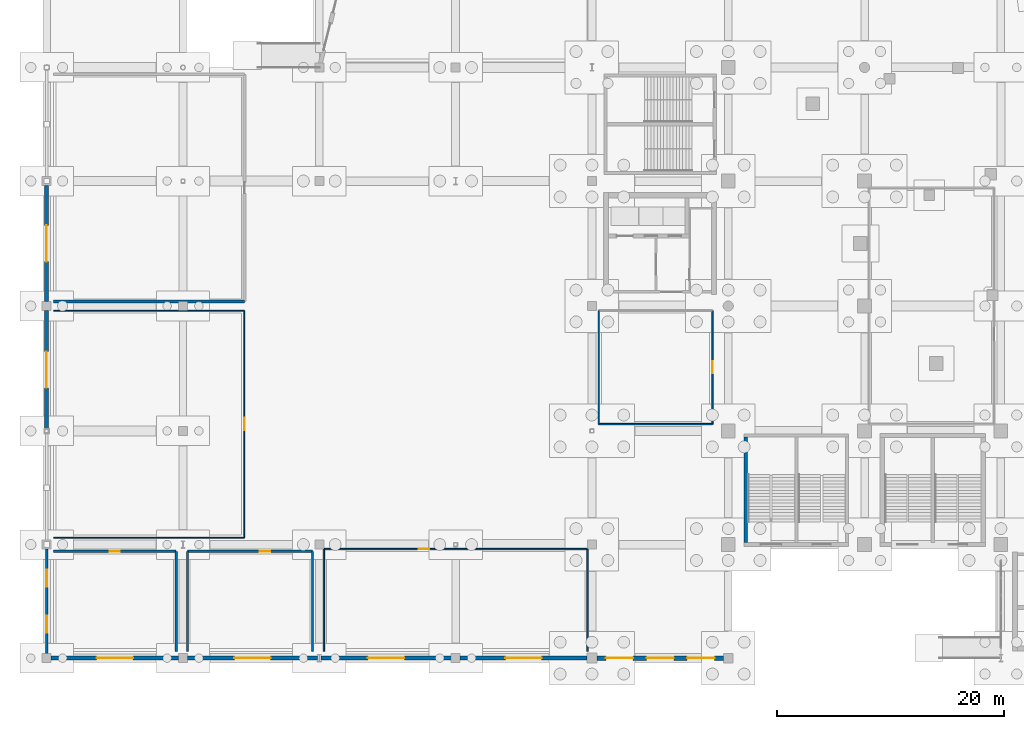
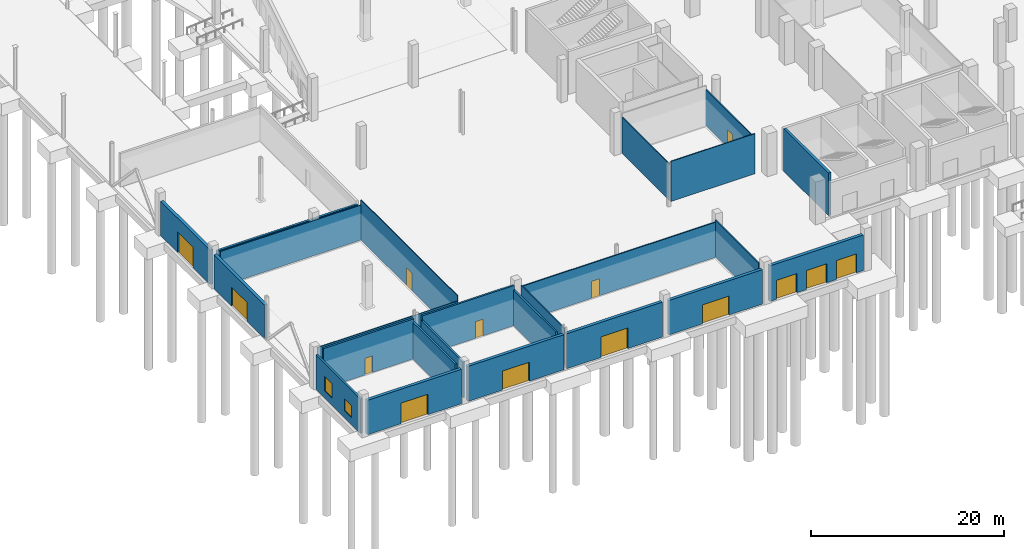
# One storey, part 48 of 70: 24 walls, 14 doors, 2 windows, 16 openings.
"""IFC4 building model written with IfcOpenShell, lengths in metres."""

from ifc_helpers import new_model, si_unit, direction, frame, frame_2d, origin, place, context, subcontext, project, spatial, rectangle, extrude, material, layer, layer_set, type_object, element, fill, save


model = new_model("IFC4")

# Units and contexts
model_context = context("Model", 3, precision=1e-05, world=origin(), true_north=direction((0.0, 1.0)))
body_context = subcontext(model_context, "Body", "Model", "MODEL_VIEW")
ifc_project = project(units=[si_unit("LENGTHUNIT", "METRE"), si_unit("AREAUNIT", "SQUARE_METRE"), si_unit("VOLUMEUNIT", "CUBIC_METRE"), si_unit("PLANEANGLEUNIT", "RADIAN"), si_unit("MASSUNIT", "GRAM", prefix="KILO")], contexts=[model_context])

# Site, building, storey
site_placement = place(None, origin())
site = spatial("IfcSite", under=ifc_project, at=site_placement, CompositionType="ELEMENT")
building_placement = place(site_placement, origin())
building = spatial("IfcBuilding", under=site, at=building_placement, Name="Brinegate Civic Arena", CompositionType="ELEMENT")
storey_placement = place(building_placement, origin())
storey = spatial("IfcBuildingStorey", under=building, at=storey_placement, Name="L00", CompositionType="ELEMENT", Elevation=0.0)

# Wall, openings, windows
ifc_material_1 = material(Name="Concrete C40/50", Category="concrete")
ifc_layer_1 = layer(ifc_material_1, 0.239990234375, Name="Concrete C40/50")
ifc_layer_set_1 = layer_set([ifc_layer_1], Name="Concrete C40/50")
wall_type_1 = type_object("IfcWallType", Name="WALL-EXT-CONC-240", PredefinedType="SOLIDWALL", material=ifc_layer_set_1)
wall_1_placement = place(storey_placement, frame((0.0, 0.385009765625, 0.0), z_axis=(0.0, 0.0, 1.0), x_axis=(0.0, 1.0, 0.0)))
wall_1 = element("IfcWall", 1, at=wall_1_placement, inside=storey, type_object=wall_type_1, Name="Perimeter Window Wall L00-01 (WBA-02)", PredefinedType="SOLIDWALL", context=body_context, shape_type="SweptSolid", body=[
    extrude(rectangle(XDim=9.22998046875, YDim=0.239990234375, at=frame_2d((4.614990234375, 0.0))), origin(), (0.0, 0.0, 1.0), 4.346923828125),
])
opening_1_placement = place(wall_1_placement, frame((1.833984375, 0.0, 0.89990234375)))
opening_1 = element("IfcOpeningElement", 2, at=opening_1_placement, cuts=wall_1, Name="Opening WN-0001", PredefinedType="OPENING", context=body_context, shape_type="SweptSolid", body=[
    extrude(rectangle(XDim=1.5, YDim=1.5, at=frame_2d((0.75, 0.75))), frame((0.0, 0.1298828125, 0.0), z_axis=(0.0, -1.0, 0.0), x_axis=(1.0, 0.0, 0.0)), (0.0, 0.0, 1.0), 0.260009765625),
])
opening_2_placement = place(wall_1_placement, frame((5.89599609375, 0.0, 0.89990234375)))
opening_2 = element("IfcOpeningElement", 3, at=opening_2_placement, cuts=wall_1, Name="Opening WN-0002", PredefinedType="OPENING", context=body_context, shape_type="SweptSolid", body=[
    extrude(rectangle(XDim=1.5, YDim=1.800048828125, at=frame_2d((0.75, 0.89990234375))), frame((0.0, 0.1298828125, 0.0), z_axis=(0.0, -1.0, 0.0), x_axis=(1.0, 0.0, 0.0)), (0.0, 0.0, 1.0), 0.260009765625),
])
ifc_material_2 = material(Name="Hurricane laminated low-E glass", Category="glass")
window_type_1 = type_object("IfcWindowType", Name="WIN-CASEMENT-1500X1500", PartitioningType="SINGLE_PANEL", PredefinedType="WINDOW", material=ifc_material_2)
window_1_placement = place(opening_1_placement, origin())
window_1 = element("IfcWindow", 4, at=window_1_placement, inside=storey, type_object=window_type_1, Name="Window WN-0001", OverallHeight=1.5, OverallWidth=1.5, PartitioningType="SINGLE_PANEL", PredefinedType="WINDOW", context=body_context, shape_type="SweptSolid", body=[
    extrude(rectangle(XDim=1.5, YDim=1.5, at=frame_2d((0.75, 0.75))), frame((0.0, 0.030029296875, 0.0), z_axis=(0.0, -1.0, 0.0), x_axis=(1.0, 0.0, 0.0)), (0.0, 0.0, 1.0), 0.06005859375),
])
fill(opening_1, window_1)
window_type_2 = type_object("IfcWindowType", Name="WIN-CASEMENT-1500X1800", PartitioningType="SINGLE_PANEL", PredefinedType="WINDOW", material=ifc_material_2)
window_2_placement = place(opening_2_placement, origin())
window_2 = element("IfcWindow", 5, at=window_2_placement, inside=storey, type_object=window_type_2, Name="Window WN-0002", OverallHeight=1.800048828125, OverallWidth=1.5, PartitioningType="SINGLE_PANEL", PredefinedType="WINDOW", context=body_context, shape_type="SweptSolid", body=[
    extrude(rectangle(XDim=1.5, YDim=1.800048828125, at=frame_2d((0.75, 0.89990234375))), frame((0.0, 0.030029296875, 0.0), z_axis=(0.0, -1.0, 0.0), x_axis=(1.0, 0.0, 0.0)), (0.0, 0.0, 1.0), 0.06005859375),
])
fill(opening_2, window_2)

# Wall, openings, doors
ifc_layer_2 = layer(ifc_material_1, 0.3798828125, Name="Concrete C40/50")
ifc_layer_set_2 = layer_set([ifc_layer_2], Name="Concrete C40/50")
wall_type_2 = type_object("IfcWallType", Name="WALL-EXT-LB-380", PredefinedType="SOLIDWALL", material=ifc_layer_set_2)
wall_2_placement = place(storey_placement, frame((48.43505859375, 0.0, 0.0), z_axis=(0.0, 0.0, 1.0), x_axis=(1.0, 0.0, 0.0)))
wall_2 = element("IfcWall", 6, at=wall_2_placement, inside=storey, type_object=wall_type_2, Name="South Plinth Structural Wall L00 (WBA-01)", PredefinedType="SOLIDWALL", context=body_context, shape_type="SweptSolid", body=[
    extrude(rectangle(XDim=11.155029296875, YDim=0.3798828125, at=frame_2d((5.57763671875, 0.0))), origin(), (0.0, 0.0, 1.0), 4.5),
])
opening_3_placement = place(wall_2_placement, frame((0.800048828125, 0.0, 0.0)))
opening_3 = element("IfcOpeningElement", 7, at=opening_3_placement, cuts=wall_2, Name="Opening E-27", PredefinedType="OPENING", context=body_context, shape_type="SweptSolid", body=[
    extrude(rectangle(XDim=2.39990234375, YDim=2.39990234375, at=frame_2d((1.199951171875, 1.199951171875))), frame((0.0, 0.199951171875, 0.0), z_axis=(0.0, -1.0, 0.0), x_axis=(1.0, 0.0, 0.0)), (0.0, 0.0, 1.0), 0.39990234375),
])
opening_4_placement = place(wall_2_placement, frame((4.3779296875, 0.0, 0.0)))
opening_4 = element("IfcOpeningElement", 8, at=opening_4_placement, cuts=wall_2, Name="Opening E-28", PredefinedType="OPENING", context=body_context, shape_type="SweptSolid", body=[
    extrude(rectangle(XDim=2.39990234375, YDim=2.39990234375, at=frame_2d((1.199951171875, 1.199951171875))), frame((0.0, 0.199951171875, 0.0), z_axis=(0.0, -1.0, 0.0), x_axis=(1.0, 0.0, 0.0)), (0.0, 0.0, 1.0), 0.39990234375),
])
opening_5_placement = place(wall_2_placement, frame((7.955078125, 0.0, 0.0)))
opening_5 = element("IfcOpeningElement", 9, at=opening_5_placement, cuts=wall_2, Name="Opening E-29", PredefinedType="OPENING", context=body_context, shape_type="SweptSolid", body=[
    extrude(rectangle(XDim=2.39990234375, YDim=2.39990234375, at=frame_2d((1.199951171875, 1.199951171875))), frame((0.0, 0.199951171875, 0.0), z_axis=(0.0, -1.0, 0.0), x_axis=(1.0, 0.0, 0.0)), (0.0, 0.0, 1.0), 0.39990234375),
])
ifc_material_3 = material(Name="Marine grade aluminium", Category="aluminium")
door_type_1 = type_object("IfcDoorType", Name="DOOR-FINAL-EXIT-2400X2400", OperationType="NOTDEFINED", PredefinedType="DOOR", material=ifc_material_3)
door_1_placement = place(opening_3_placement, frame((2.39990234375, 0.0, 0.0), z_axis=(0.0, 0.0, 1.0), x_axis=(-1.0, 0.0, 0.0)))
door_1 = element("IfcDoor", 10, at=door_1_placement, inside=storey, type_object=door_type_1, Name="Main Pedestrian Final Exit Door E-27", OperationType="DOUBLE_DOOR_SINGLE_SWING", OverallHeight=2.39990234375, OverallWidth=2.39990234375, PredefinedType="DOOR", context=body_context, shape_type="SweptSolid", body=[
    extrude(rectangle(XDim=2.39990234375, YDim=2.39990234375, at=frame_2d((1.199951171875, 1.199951171875))), frame((0.0, 0.02490234375, 0.0), z_axis=(0.0, -1.0, 0.0), x_axis=(1.0, 0.0, 0.0)), (0.0, 0.0, 1.0), 0.050048828125),
])
fill(opening_3, door_1)
door_2_placement = place(opening_4_placement, frame((2.39990234375, 0.0, 0.0), z_axis=(0.0, 0.0, 1.0), x_axis=(-1.0, 0.0, 0.0)))
door_2 = element("IfcDoor", 11, at=door_2_placement, inside=storey, type_object=door_type_1, Name="Main Pedestrian Final Exit Door E-28", OperationType="DOUBLE_DOOR_SINGLE_SWING", OverallHeight=2.39990234375, OverallWidth=2.39990234375, PredefinedType="DOOR", context=body_context, shape_type="SweptSolid", body=[
    extrude(rectangle(XDim=2.39990234375, YDim=2.39990234375, at=frame_2d((1.199951171875, 1.199951171875))), frame((0.0, 0.02490234375, 0.0), z_axis=(0.0, -1.0, 0.0), x_axis=(1.0, 0.0, 0.0)), (0.0, 0.0, 1.0), 0.050048828125),
])
fill(opening_4, door_2)
door_3_placement = place(opening_5_placement, frame((2.39990234375, 0.0, 0.0), z_axis=(0.0, 0.0, 1.0), x_axis=(-1.0, 0.0, 0.0)))
door_3 = element("IfcDoor", 12, at=door_3_placement, inside=storey, type_object=door_type_1, Name="Main Pedestrian Final Exit Door E-29", OperationType="DOUBLE_DOOR_SINGLE_SWING", OverallHeight=2.39990234375, OverallWidth=2.39990234375, PredefinedType="DOOR", context=body_context, shape_type="SweptSolid", body=[
    extrude(rectangle(XDim=2.39990234375, YDim=2.39990234375, at=frame_2d((1.199951171875, 1.199951171875))), frame((0.0, 0.02490234375, 0.0), z_axis=(0.0, -1.0, 0.0), x_axis=(1.0, 0.0, 0.0)), (0.0, 0.0, 1.0), 0.050048828125),
])
fill(opening_5, door_3)

# Wall, opening, door
ifc_material_4 = material(Name="Precast concrete C45/55", Category="concrete")
ifc_layer_3 = layer(ifc_material_4, 0.360107421875, Name="Precast concrete C45/55")
ifc_layer_set_3 = layer_set([ifc_layer_3], Name="Precast concrete C45/55")
wall_type_3 = type_object("IfcWallType", Name="WALL-EXT-PRECAST-360", PredefinedType="SOLIDWALL", material=ifc_layer_set_3)
wall_3_placement = place(storey_placement, frame((0.385009765625, 0.0, 0.0), z_axis=(0.0, 0.0, 1.0), x_axis=(1.0, 0.0, 0.0)))
wall_3 = element("IfcWall", 13, at=wall_3_placement, inside=storey, type_object=wall_type_3, Name="L00 Perimeter Wall SW-1 (WBA-21)", PredefinedType="SOLIDWALL", context=body_context, shape_type="SweptSolid", body=[
    extrude(rectangle(XDim=11.22998046875, YDim=0.360107421875, at=frame_2d((5.614990234375, 0.0))), origin(), (0.0, 0.0, 1.0), 4.346923828125),
])
opening_6_placement = place(wall_3_placement, frame((4.014892578125, 0.0, 0.0)))
opening_6 = element("IfcOpeningElement", 14, at=opening_6_placement, cuts=wall_3, Name="Opening E-02", PredefinedType="OPENING", context=body_context, shape_type="SweptSolid", body=[
    extrude(rectangle(XDim=3.199951171875, YDim=2.60009765625, at=frame_2d((1.60009765625, 1.300048828125))), frame((0.0, 0.18994140625, 0.0), z_axis=(0.0, -1.0, 0.0), x_axis=(1.0, 0.0, 0.0)), (0.0, 0.0, 1.0), 0.380126953125),
])
door_type_2 = type_object("IfcDoorType", Name="DOOR-FINAL-EXIT-3200X2600", OperationType="NOTDEFINED", PredefinedType="DOOR", material=ifc_material_3)
door_4_placement = place(opening_6_placement, frame((3.199951171875, 0.0, 0.0), z_axis=(0.0, 0.0, 1.0), x_axis=(-1.0, 0.0, 0.0)))
door_4 = element("IfcDoor", 15, at=door_4_placement, inside=storey, type_object=door_type_2, Name="Main Pedestrian Final Exit Door E-02", OperationType="DOUBLE_DOOR_SINGLE_SWING", OverallHeight=2.60009765625, OverallWidth=3.199951171875, PredefinedType="DOOR", context=body_context, shape_type="SweptSolid", body=[
    extrude(rectangle(XDim=3.199951171875, YDim=2.60009765625, at=frame_2d((1.60009765625, 1.300048828125))), frame((0.0, 0.02490234375, 0.0), z_axis=(0.0, -1.0, 0.0), x_axis=(1.0, 0.0, 0.0)), (0.0, 0.0, 1.0), 0.050048828125),
])
fill(opening_6, door_4)

wall_4_placement = place(storey_placement, frame((12.385009765625, 0.0, 0.0), z_axis=(0.0, 0.0, 1.0), x_axis=(1.0, 0.0, 0.0)))
wall_4 = element("IfcWall", 16, at=wall_4_placement, inside=storey, type_object=wall_type_3, Name="L00 Perimeter Wall SW-2 (WBA-22)", PredefinedType="SOLIDWALL", context=body_context, shape_type="SweptSolid", body=[
    extrude(rectangle(XDim=11.468017578125, YDim=0.360107421875, at=frame_2d((5.73388671875, 0.0))), origin(), (0.0, 0.0, 1.0), 4.428955078125),
])
opening_7_placement = place(wall_4_placement, frame((4.134033203125, 0.0, 0.0)))
opening_7 = element("IfcOpeningElement", 17, at=opening_7_placement, cuts=wall_4, Name="Opening E-03", PredefinedType="OPENING", context=body_context, shape_type="SweptSolid", body=[
    extrude(rectangle(XDim=3.199951171875, YDim=2.39990234375, at=frame_2d((1.60009765625, 1.199951171875))), frame((0.0, 0.18994140625, 0.0), z_axis=(0.0, -1.0, 0.0), x_axis=(1.0, 0.0, 0.0)), (0.0, 0.0, 1.0), 0.380126953125),
])
door_type_3 = type_object("IfcDoorType", Name="DOOR-FINAL-EXIT-3200X2400", OperationType="NOTDEFINED", PredefinedType="DOOR", material=ifc_material_3)
door_5_placement = place(opening_7_placement, frame((3.199951171875, 0.0, 0.0), z_axis=(0.0, 0.0, 1.0), x_axis=(-1.0, 0.0, 0.0)))
door_5 = element("IfcDoor", 18, at=door_5_placement, inside=storey, type_object=door_type_3, Name="Main Pedestrian Final Exit Door E-03", OperationType="DOUBLE_DOOR_SINGLE_SWING", OverallHeight=2.39990234375, OverallWidth=3.199951171875, PredefinedType="DOOR", context=body_context, shape_type="SweptSolid", body=[
    extrude(rectangle(XDim=3.199951171875, YDim=2.39990234375, at=frame_2d((1.60009765625, 1.199951171875))), frame((0.0, 0.02490234375, 0.0), z_axis=(0.0, -1.0, 0.0), x_axis=(1.0, 0.0, 0.0)), (0.0, 0.0, 1.0), 0.050048828125),
])
fill(opening_7, door_5)

wall_5_placement = place(storey_placement, frame((24.14697265625, 0.0, 0.0), z_axis=(0.0, 0.0, 1.0), x_axis=(1.0, 0.0, 0.0)))
wall_5 = element("IfcWall", 19, at=wall_5_placement, inside=storey, type_object=wall_type_3, Name="L00 Perimeter Wall SW-3 (WBA-23)", PredefinedType="SOLIDWALL", context=body_context, shape_type="SweptSolid", body=[
    extrude(rectangle(XDim=11.468017578125, YDim=0.360107421875, at=frame_2d((5.73388671875, 0.0))), origin(), (0.0, 0.0, 1.0), 4.428955078125),
])
opening_8_placement = place(wall_5_placement, frame((4.134033203125, 0.0, 0.0)))
opening_8 = element("IfcOpeningElement", 20, at=opening_8_placement, cuts=wall_5, Name="Opening E-04", PredefinedType="OPENING", context=body_context, shape_type="SweptSolid", body=[
    extrude(rectangle(XDim=3.199951171875, YDim=2.60009765625, at=frame_2d((1.60009765625, 1.300048828125))), frame((0.0, 0.18994140625, 0.0), z_axis=(0.0, -1.0, 0.0), x_axis=(1.0, 0.0, 0.0)), (0.0, 0.0, 1.0), 0.380126953125),
])
door_6_placement = place(opening_8_placement, frame((3.199951171875, 0.0, 0.0), z_axis=(0.0, 0.0, 1.0), x_axis=(-1.0, 0.0, 0.0)))
door_6 = element("IfcDoor", 21, at=door_6_placement, inside=storey, type_object=door_type_2, Name="Main Pedestrian Final Exit Door E-04", OperationType="DOUBLE_DOOR_SINGLE_SWING", OverallHeight=2.60009765625, OverallWidth=3.199951171875, PredefinedType="DOOR", context=body_context, shape_type="SweptSolid", body=[
    extrude(rectangle(XDim=3.199951171875, YDim=2.60009765625, at=frame_2d((1.60009765625, 1.300048828125))), frame((0.0, 0.02490234375, 0.0), z_axis=(0.0, -1.0, 0.0), x_axis=(1.0, 0.0, 0.0)), (0.0, 0.0, 1.0), 0.050048828125),
])
fill(opening_8, door_6)

wall_6_placement = place(storey_placement, frame((36.385009765625, 0.0, 0.0), z_axis=(0.0, 0.0, 1.0), x_axis=(1.0, 0.0, 0.0)))
wall_6 = element("IfcWall", 22, at=wall_6_placement, inside=storey, type_object=wall_type_3, Name="L00 Perimeter Wall SW-4 (WBA-24)", PredefinedType="SOLIDWALL", context=body_context, shape_type="SweptSolid", body=[
    extrude(rectangle(XDim=11.179931640625, YDim=0.360107421875, at=frame_2d((5.58984375, 0.0))), origin(), (0.0, 0.0, 1.0), 4.346923828125),
])
opening_9_placement = place(wall_6_placement, frame((3.989990234375, 0.0, 0.0)))
opening_9 = element("IfcOpeningElement", 23, at=opening_9_placement, cuts=wall_6, Name="Opening E-05", PredefinedType="OPENING", context=body_context, shape_type="SweptSolid", body=[
    extrude(rectangle(XDim=3.199951171875, YDim=2.39990234375, at=frame_2d((1.60009765625, 1.199951171875))), frame((0.0, 0.18994140625, 0.0), z_axis=(0.0, -1.0, 0.0), x_axis=(1.0, 0.0, 0.0)), (0.0, 0.0, 1.0), 0.380126953125),
])
door_7_placement = place(opening_9_placement, frame((3.199951171875, 0.0, 0.0), z_axis=(0.0, 0.0, 1.0), x_axis=(-1.0, 0.0, 0.0)))
door_7 = element("IfcDoor", 24, at=door_7_placement, inside=storey, type_object=door_type_3, Name="Main Pedestrian Final Exit Door E-05", OperationType="DOUBLE_DOOR_SINGLE_SWING", OverallHeight=2.39990234375, OverallWidth=3.199951171875, PredefinedType="DOOR", context=body_context, shape_type="SweptSolid", body=[
    extrude(rectangle(XDim=3.199951171875, YDim=2.39990234375, at=frame_2d((1.60009765625, 1.199951171875))), frame((0.0, 0.02490234375, 0.0), z_axis=(0.0, -1.0, 0.0), x_axis=(1.0, 0.0, 0.0)), (0.0, 0.0, 1.0), 0.050048828125),
])
fill(opening_9, door_7)

wall_7_placement = place(storey_placement, frame((0.0, 20.159912109375, 0.0), z_axis=(0.0, 0.0, 1.0), x_axis=(0.0, 1.0, 0.0)))
wall_7 = element("IfcWall", 25, at=wall_7_placement, inside=storey, type_object=wall_type_3, Name="L00 Perimeter Wall WH-1 (WBA-30)", PredefinedType="SOLIDWALL", context=body_context, shape_type="SweptSolid", body=[
    extrude(rectangle(XDim=10.455078125, YDim=0.360107421875, at=frame_2d((5.2275390625, 0.0))), origin(), (0.0, 0.0, 1.0), 4.27001953125),
])
opening_10_placement = place(wall_7_placement, frame((3.6279296875, 0.0, 0.0)))
opening_10 = element("IfcOpeningElement", 26, at=opening_10_placement, cuts=wall_7, Name="Opening E-13", PredefinedType="OPENING", context=body_context, shape_type="SweptSolid", body=[
    extrude(rectangle(XDim=3.199951171875, YDim=2.39990234375, at=frame_2d((1.60009765625, 1.199951171875))), frame((0.0, 0.18994140625, 0.0), z_axis=(0.0, -1.0, 0.0), x_axis=(1.0, 0.0, 0.0)), (0.0, 0.0, 1.0), 0.380126953125),
])
door_8_placement = place(opening_10_placement, origin())
door_8 = element("IfcDoor", 27, at=door_8_placement, inside=storey, type_object=door_type_3, Name="Main Pedestrian Final Exit Door E-13", OperationType="DOUBLE_DOOR_SINGLE_SWING", OverallHeight=2.39990234375, OverallWidth=3.199951171875, PredefinedType="DOOR", context=body_context, shape_type="SweptSolid", body=[
    extrude(rectangle(XDim=3.199951171875, YDim=2.39990234375, at=frame_2d((1.60009765625, 1.199951171875))), frame((0.0, 0.02490234375, 0.0), z_axis=(0.0, -1.0, 0.0), x_axis=(1.0, 0.0, 0.0)), (0.0, 0.0, 1.0), 0.050048828125),
])
fill(opening_10, door_8)

wall_8_placement = place(storey_placement, frame((0.0, 31.385009765625, 0.0), z_axis=(0.0, 0.0, 1.0), x_axis=(0.0, 1.0, 0.0)))
wall_8 = element("IfcWall", 28, at=wall_8_placement, inside=storey, type_object=wall_type_3, Name="L00 Perimeter Wall WH-2 (WBA-31)", PredefinedType="SOLIDWALL", context=body_context, shape_type="SweptSolid", body=[
    extrude(rectangle(XDim=10.22998046875, YDim=0.360107421875, at=frame_2d((5.114990234375, 0.0))), origin(), (0.0, 0.0, 1.0), 4.346923828125),
])
opening_11_placement = place(wall_8_placement, frame((3.514892578125, 0.0, 0.0)))
opening_11 = element("IfcOpeningElement", 29, at=opening_11_placement, cuts=wall_8, Name="Opening E-14", PredefinedType="OPENING", context=body_context, shape_type="SweptSolid", body=[
    extrude(rectangle(XDim=3.199951171875, YDim=2.60009765625, at=frame_2d((1.60009765625, 1.300048828125))), frame((0.0, 0.18994140625, 0.0), z_axis=(0.0, -1.0, 0.0), x_axis=(1.0, 0.0, 0.0)), (0.0, 0.0, 1.0), 0.380126953125),
])
door_9_placement = place(opening_11_placement, origin())
door_9 = element("IfcDoor", 30, at=door_9_placement, inside=storey, type_object=door_type_2, Name="Main Pedestrian Final Exit Door E-14", OperationType="DOUBLE_DOOR_SINGLE_SWING", OverallHeight=2.60009765625, OverallWidth=3.199951171875, PredefinedType="DOOR", context=body_context, shape_type="SweptSolid", body=[
    extrude(rectangle(XDim=3.199951171875, YDim=2.60009765625, at=frame_2d((1.60009765625, 1.300048828125))), frame((0.0, 0.02490234375, 0.0), z_axis=(0.0, -1.0, 0.0), x_axis=(1.0, 0.0, 0.0)), (0.0, 0.0, 1.0), 0.050048828125),
])
fill(opening_11, door_9)

# Walls
ifc_layer_4 = layer(ifc_material_1, 0.2099609375, Name="Concrete C40/50")
ifc_layer_set_4 = layer_set([ifc_layer_4], Name="Concrete C40/50")
wall_type_4 = type_object("IfcWallType", Name="WALL-INT-SOLID-210", PredefinedType="SOLIDWALL", material=ifc_layer_set_4)
for number, where, z_axis, x_axis, name in (
    (31, (23.39990234375, 9.39990234375, 0.0), (0.0, 0.0, 1.0), (0.0, -1.0, 0.0), "Community Hall Female Toilet Partition Wall E1 (WBI-68)"),
    (32, (12.39990234375, 0.60009765625, 0.0), (0.0, 0.0, 1.0), (0.0, 1.0, 0.0), "Community Hall Female Toilet Partition Wall E3 (WBI-69)"),
):
    element("IfcWall", number, at=place(storey_placement, frame(where, z_axis=z_axis, x_axis=x_axis)), inside=storey, type_object=wall_type_4, Name=name, PredefinedType="SOLIDWALL", context=body_context, shape_type="SweptSolid", body=[
        extrude(rectangle(XDim=8.7998046875, YDim=0.2099609375, at=frame_2d((4.39990234375, 0.0))), origin(), (0.0, 0.0, 1.0), 4.490966796875),
    ])

# Wall, opening, door
wall_9_placement = place(storey_placement, frame((12.39990234375, 9.39990234375, 0.0), z_axis=(0.0, 0.0, 1.0), x_axis=(1.0, 0.0, 0.0)))
wall_9 = element("IfcWall", 33, at=wall_9_placement, inside=storey, type_object=wall_type_4, Name="Community Hall Female Toilet Partition Wall E4 (WBI-70)", PredefinedType="SOLIDWALL", context=body_context, shape_type="SweptSolid", body=[
    extrude(rectangle(XDim=11.0, YDim=0.2099609375, at=frame_2d((5.5, 0.0))), origin(), (0.0, 0.0, 1.0), 5.06005859375),
])
opening_12_placement = place(wall_9_placement, frame((6.3701171875, 0.0, 0.0)))
opening_12 = element("IfcOpeningElement", 34, at=opening_12_placement, cuts=wall_9, Name="Opening D-L00-164", PredefinedType="OPENING", context=body_context, shape_type="SweptSolid", body=[
    extrude(rectangle(XDim=0.89990234375, YDim=2.10009765625, at=frame_2d((0.449951171875, 1.050048828125))), frame((0.0, 0.114990234375, 0.0), z_axis=(0.0, -1.0, 0.0), x_axis=(1.0, 0.0, 0.0)), (0.0, 0.0, 1.0), 0.22998046875),
])
ifc_material_5 = material(Name="Hardwood acoustic timber door", Category="wood")
door_type_4 = type_object("IfcDoorType", Name="DOOR-WC-900X2100", OperationType="NOTDEFINED", PredefinedType="DOOR", material=ifc_material_5)
door_10_placement = place(opening_12_placement, origin())
door_10 = element("IfcDoor", 35, at=door_10_placement, inside=storey, type_object=door_type_4, Name="Community Hall Female Toilet Door D-L00-164", OperationType="SINGLE_SWING_LEFT", OverallHeight=2.10009765625, OverallWidth=0.89990234375, PredefinedType="DOOR", context=body_context, shape_type="SweptSolid", body=[
    extrude(rectangle(XDim=0.89990234375, YDim=2.10009765625, at=frame_2d((0.449951171875, 1.050048828125))), frame((0.0, 0.02490234375, 0.0), z_axis=(0.0, -1.0, 0.0), x_axis=(1.0, 0.0, 0.0)), (0.0, 0.0, 1.0), 0.050048828125),
])
fill(opening_12, door_10)

# Wall
ifc_layer_5 = layer(ifc_material_1, 0.22998046875, Name="Concrete C40/50")
ifc_layer_set_5 = layer_set([ifc_layer_5], Name="Concrete C40/50")
wall_type_5 = type_object("IfcWallType", Name="WALL-INT-SOLID-230", PredefinedType="SOLIDWALL", material=ifc_layer_set_5)
wall_10_placement = place(storey_placement, frame((11.39990234375, 9.39990234375, 0.0), z_axis=(0.0, 0.0, 1.0), x_axis=(0.0, -1.0, 0.0)))
element("IfcWall", 36, at=wall_10_placement, inside=storey, type_object=wall_type_5, Name="Community Hall Male Toilet Partition Wall E1 (WBI-66)", PredefinedType="SOLIDWALL", context=body_context, shape_type="SweptSolid", body=[
    extrude(rectangle(XDim=8.7998046875, YDim=0.22998046875, at=frame_2d((4.39990234375, 0.0))), origin(), (0.0, 0.0, 1.0), 4.626953125),
])

# Wall, opening, door
wall_11_placement = place(storey_placement, frame((0.60009765625, 9.39990234375, 0.0), z_axis=(0.0, 0.0, 1.0), x_axis=(1.0, 0.0, 0.0)))
wall_11 = element("IfcWall", 37, at=wall_11_placement, inside=storey, type_object=wall_type_5, Name="Community Hall Male Toilet Partition Wall E4 (WBI-67)", PredefinedType="SOLIDWALL", context=body_context, shape_type="SweptSolid", body=[
    extrude(rectangle(XDim=10.7998046875, YDim=0.22998046875, at=frame_2d((5.39990234375, 0.0))), origin(), (0.0, 0.0, 1.0), 5.06005859375),
])
opening_13_placement = place(wall_11_placement, frame((4.949951171875, 0.0, 0.0)))
opening_13 = element("IfcOpeningElement", 38, at=opening_13_placement, cuts=wall_11, Name="Opening D-L00-163", PredefinedType="OPENING", context=body_context, shape_type="SweptSolid", body=[
    extrude(rectangle(XDim=0.89990234375, YDim=2.10009765625, at=frame_2d((0.449951171875, 1.050048828125))), frame((0.0, 0.125, 0.0), z_axis=(0.0, -1.0, 0.0), x_axis=(1.0, 0.0, 0.0)), (0.0, 0.0, 1.0), 0.25),
])
door_11_placement = place(opening_13_placement, origin())
door_11 = element("IfcDoor", 39, at=door_11_placement, inside=storey, type_object=door_type_4, Name="Community Hall Male Toilet Door D-L00-163", OperationType="SINGLE_SWING_RIGHT", OverallHeight=2.10009765625, OverallWidth=0.89990234375, PredefinedType="DOOR", context=body_context, shape_type="SweptSolid", body=[
    extrude(rectangle(XDim=0.89990234375, YDim=2.10009765625, at=frame_2d((0.449951171875, 1.050048828125))), frame((0.0, 0.02490234375, 0.0), z_axis=(0.0, -1.0, 0.0), x_axis=(1.0, 0.0, 0.0)), (0.0, 0.0, 1.0), 0.050048828125),
])
fill(opening_13, door_11)

# Walls
ifc_layer_6 = layer(ifc_material_1, 0.25, Name="Concrete C40/50")
ifc_layer_set_6 = layer_set([ifc_layer_6], Name="Concrete C40/50")
wall_type_6 = type_object("IfcWallType", Name="WALL-INT-SOLID-250", PredefinedType="SOLIDWALL", material=ifc_layer_set_6)
wall_12_placement = place(storey_placement, frame((17.39990234375, 31.39990234375, 0.0), z_axis=(0.0, 0.0, 1.0), x_axis=(-1.0, 0.0, 0.0)))
element("IfcWall", 40, at=wall_12_placement, inside=storey, type_object=wall_type_6, Name="Youth Sports Classrooms and Coaching Rooms Partition Wall E2 (WBI-64)", PredefinedType="SOLIDWALL", context=body_context, shape_type="SweptSolid", body=[
    extrude(rectangle(XDim=16.7998046875, YDim=0.25, at=frame_2d((8.39990234375, 0.0))), origin(), (0.0, 0.0, 1.0), 4.0400390625),
])
ifc_material_6 = material(Name="Fire-rated gypsum partition assembly")
ifc_layer_7 = layer(ifc_material_6, 0.1298828125, Name="Fire-rated gypsum partition assembly")
ifc_layer_set_7 = layer_set([ifc_layer_7], Name="Fire-rated gypsum partition assembly")
wall_type_7 = type_object("IfcWallType", Name="WALL-PART-ACOUSTIC-130", PredefinedType="PARTITIONING", material=ifc_layer_set_7)
wall_13_placement = place(storey_placement, frame((47.60009765625, 9.60009765625, 0.0), z_axis=(0.0, 0.0, 1.0), x_axis=(0.0, -1.0, 0.0)))
element("IfcWall", 41, at=wall_13_placement, inside=storey, type_object=wall_type_7, Name="Box Office and Accreditation Counters Partition Wall E1 (WBI-77)", PredefinedType="PARTITIONING", context=body_context, shape_type="SweptSolid", body=[
    extrude(rectangle(XDim=9.0, YDim=0.1298828125, at=frame_2d((4.5, 0.0))), origin(), (0.0, 0.0, 1.0), 4.68603515625),
])
wall_14_placement = place(storey_placement, frame((24.39990234375, 0.60009765625, 0.0), z_axis=(0.0, 0.0, 1.0), x_axis=(0.0, 1.0, 0.0)))
element("IfcWall", 42, at=wall_14_placement, inside=storey, type_object=wall_type_7, Name="Box Office and Accreditation Counters Partition Wall E3 (WBI-78)", PredefinedType="PARTITIONING", context=body_context, shape_type="SweptSolid", body=[
    extrude(rectangle(XDim=9.0, YDim=0.1298828125, at=frame_2d((4.5, 0.0))), origin(), (0.0, 0.0, 1.0), 4.580078125),
])

# Wall, opening, door
wall_15_placement = place(storey_placement, frame((24.39990234375, 9.60009765625, 0.0), z_axis=(0.0, 0.0, 1.0), x_axis=(1.0, 0.0, 0.0)))
wall_15 = element("IfcWall", 43, at=wall_15_placement, inside=storey, type_object=wall_type_7, Name="Box Office and Accreditation Counters Partition Wall E4 (WBI-79)", PredefinedType="PARTITIONING", context=body_context, shape_type="SweptSolid", body=[
    extrude(rectangle(XDim=23.2001953125, YDim=0.1298828125, at=frame_2d((11.60009765625, 0.0))), origin(), (0.0, 0.0, 1.0), 4.424072265625),
])
opening_14_placement = place(wall_15_placement, frame((8.341064453125, 0.0, 0.0)))
opening_14 = element("IfcOpeningElement", 44, at=opening_14_placement, cuts=wall_15, Name="Opening D-L00-167", PredefinedType="OPENING", context=body_context, shape_type="SweptSolid", body=[
    extrude(rectangle(XDim=0.949951171875, YDim=2.14990234375, at=frame_2d((0.47509765625, 1.074951171875))), frame((0.0, 0.074951171875, 0.0), z_axis=(0.0, -1.0, 0.0), x_axis=(1.0, 0.0, 0.0)), (0.0, 0.0, 1.0), 0.14990234375),
])
door_type_5 = type_object("IfcDoorType", Name="DOOR-OFFICE-950X2150", OperationType="NOTDEFINED", PredefinedType="DOOR", material=ifc_material_5)
door_12_placement = place(opening_14_placement, origin())
door_12 = element("IfcDoor", 45, at=door_12_placement, inside=storey, type_object=door_type_5, Name="Box Office and Accreditation Counters Door D-L00-167", OperationType="SINGLE_SWING_RIGHT", OverallHeight=2.14990234375, OverallWidth=0.949951171875, PredefinedType="DOOR", context=body_context, shape_type="SweptSolid", body=[
    extrude(rectangle(XDim=0.949951171875, YDim=2.14990234375, at=frame_2d((0.47509765625, 1.074951171875))), frame((0.0, 0.02490234375, 0.0), z_axis=(0.0, -1.0, 0.0), x_axis=(1.0, 0.0, 0.0)), (0.0, 0.0, 1.0), 0.050048828125),
])
fill(opening_14, door_12)

ifc_layer_8 = layer(ifc_material_6, 0.090087890625, Name="Fire-rated gypsum partition assembly")
ifc_layer_set_8 = layer_set([ifc_layer_8], Name="Fire-rated gypsum partition assembly")
wall_type_8 = type_object("IfcWallType", Name="WALL-PART-LIGHT-090", PredefinedType="PARTITIONING", material=ifc_layer_set_8)
wall_16_placement = place(storey_placement, frame((17.39990234375, 30.60009765625, 0.0), z_axis=(0.0, 0.0, 1.0), x_axis=(0.0, -1.0, 0.0)))
wall_16 = element("IfcWall", 46, at=wall_16_placement, inside=storey, type_object=wall_type_8, Name="Community Fitness Studio and Changing Rooms Partition Wall E1 (WBI-60)", PredefinedType="PARTITIONING", context=body_context, shape_type="SweptSolid", body=[
    extrude(rectangle(XDim=20.0, YDim=0.090087890625, at=frame_2d((10.0, 0.0))), origin(), (0.0, 0.0, 1.0), 5.06005859375),
])
opening_15_placement = place(wall_16_placement, frame((9.449951171875, 0.0, 0.0)))
opening_15 = element("IfcOpeningElement", 47, at=opening_15_placement, cuts=wall_16, Name="Opening D-L00-161", PredefinedType="OPENING", context=body_context, shape_type="SweptSolid", body=[
    extrude(rectangle(XDim=1.10009765625, YDim=2.199951171875, at=frame_2d((0.550048828125, 1.10009765625))), frame((0.0, 0.054931640625, 0.0), z_axis=(0.0, -1.0, 0.0), x_axis=(1.0, 0.0, 0.0)), (0.0, 0.0, 1.0), 0.110107421875),
])
door_type_6 = type_object("IfcDoorType", Name="DOOR-LOCKER-1100X2200", OperationType="NOTDEFINED", PredefinedType="DOOR", material=ifc_material_5)
door_13_placement = place(opening_15_placement, origin())
door_13 = element("IfcDoor", 48, at=door_13_placement, inside=storey, type_object=door_type_6, Name="Community Fitness Studio and Changing Rooms Door D-L00-161", OperationType="SINGLE_SWING_RIGHT", OverallHeight=2.199951171875, OverallWidth=1.10009765625, PredefinedType="DOOR", context=body_context, shape_type="SweptSolid", body=[
    extrude(rectangle(XDim=1.10009765625, YDim=2.199951171875, at=frame_2d((0.550048828125, 1.10009765625))), frame((0.0, 0.02490234375, 0.0), z_axis=(0.0, -1.0, 0.0), x_axis=(1.0, 0.0, 0.0)), (0.0, 0.0, 1.0), 0.050048828125),
])
fill(opening_15, door_13)

# Walls
wall_17_placement = place(storey_placement, frame((17.39990234375, 10.60009765625, 0.0), z_axis=(0.0, 0.0, 1.0), x_axis=(-1.0, 0.0, 0.0)))
element("IfcWall", 49, at=wall_17_placement, inside=storey, type_object=wall_type_8, Name="Community Fitness Studio and Changing Rooms Partition Wall E2 (WBI-61)", PredefinedType="PARTITIONING", context=body_context, shape_type="SweptSolid", body=[
    extrude(rectangle(XDim=16.7998046875, YDim=0.090087890625, at=frame_2d((8.39990234375, 0.0))), origin(), (0.0, 0.0, 1.0), 4.428955078125),
])
wall_18_placement = place(storey_placement, frame((0.60009765625, 30.60009765625, 0.0), z_axis=(0.0, 0.0, 1.0), x_axis=(1.0, 0.0, 0.0)))
element("IfcWall", 50, at=wall_18_placement, inside=storey, type_object=wall_type_8, Name="Community Fitness Studio and Changing Rooms Partition Wall E4 (WBI-62)", PredefinedType="PARTITIONING", context=body_context, shape_type="SweptSolid", body=[
    extrude(rectangle(XDim=16.7998046875, YDim=0.090087890625, at=frame_2d((8.39990234375, 0.0))), origin(), (0.0, 0.0, 1.0), 4.424072265625),
])

# Wall, opening, door
ifc_layer_9 = layer(ifc_material_6, 0.114990234375, Name="Fire-rated gypsum partition assembly")
ifc_layer_set_9 = layer_set([ifc_layer_9], Name="Fire-rated gypsum partition assembly")
wall_type_9 = type_object("IfcWallType", Name="WALL-PART-STD-115", PredefinedType="PARTITIONING", material=ifc_layer_set_9)
wall_19_placement = place(storey_placement, frame((58.60009765625, 30.60009765625, 0.0), z_axis=(0.0, 0.0, 1.0), x_axis=(0.0, -1.0, 0.0)))
wall_19 = element("IfcWall", 51, at=wall_19_placement, inside=storey, type_object=wall_type_9, Name="Broadcast Outside-Broadcast Van Compound Partition Wall E1 (WBI-56)", PredefinedType="PARTITIONING", context=body_context, shape_type="SweptSolid", body=[
    extrude(rectangle(XDim=10.0, YDim=0.114990234375, at=frame_2d((5.0, 0.0))), origin(), (0.0, 0.0, 1.0), 4.56689453125),
])
opening_16_placement = place(wall_19_placement, frame((4.47509765625, 0.0, 0.0)))
opening_16 = element("IfcOpeningElement", 52, at=opening_16_placement, cuts=wall_19, Name="Opening D-L00-160", PredefinedType="OPENING", context=body_context, shape_type="SweptSolid", body=[
    extrude(rectangle(XDim=1.050048828125, YDim=2.199951171875, at=frame_2d((0.52490234375, 1.10009765625))), frame((0.0, 0.0673828125, 0.0), z_axis=(0.0, -1.0, 0.0), x_axis=(1.0, 0.0, 0.0)), (0.0, 0.0, 1.0), 0.135009765625),
])
door_type_7 = type_object("IfcDoorType", Name="DOOR-SUITE-1050X2200", OperationType="NOTDEFINED", PredefinedType="DOOR", material=ifc_material_5)
door_14_placement = place(opening_16_placement, origin())
door_14 = element("IfcDoor", 53, at=door_14_placement, inside=storey, type_object=door_type_7, Name="Broadcast Outside-Broadcast Van Compound Door D-L00-160", OperationType="SINGLE_SWING_LEFT", OverallHeight=2.199951171875, OverallWidth=1.050048828125, PredefinedType="DOOR", context=body_context, shape_type="SweptSolid", body=[
    extrude(rectangle(XDim=1.050048828125, YDim=2.199951171875, at=frame_2d((0.52490234375, 1.10009765625))), frame((0.0, 0.02490234375, 0.0), z_axis=(0.0, -1.0, 0.0), x_axis=(1.0, 0.0, 0.0)), (0.0, 0.0, 1.0), 0.050048828125),
])
fill(opening_16, door_14)

# Walls
wall_20_placement = place(storey_placement, frame((58.60009765625, 20.60009765625, 0.0), z_axis=(0.0, 0.0, 1.0), x_axis=(-1.0, 0.0, 0.0)))
element("IfcWall", 54, at=wall_20_placement, inside=storey, type_object=wall_type_9, Name="Broadcast Outside-Broadcast Van Compound Partition Wall E2 (WBI-57)", PredefinedType="PARTITIONING", context=body_context, shape_type="SweptSolid", body=[
    extrude(rectangle(XDim=10.0, YDim=0.114990234375, at=frame_2d((5.0, 0.0))), origin(), (0.0, 0.0, 1.0), 5.06005859375),
])
wall_21_placement = place(storey_placement, frame((48.60009765625, 20.60009765625, 0.0), z_axis=(0.0, 0.0, 1.0), x_axis=(0.0, 1.0, 0.0)))
element("IfcWall", 55, at=wall_21_placement, inside=storey, type_object=wall_type_9, Name="Broadcast Outside-Broadcast Van Compound Partition Wall E3 (WBI-58)", PredefinedType="PARTITIONING", context=body_context, shape_type="SweptSolid", body=[
    extrude(rectangle(XDim=10.0, YDim=0.114990234375, at=frame_2d((5.0, 0.0))), origin(), (0.0, 0.0, 1.0), 4.56689453125),
])
ifc_material_7 = material(Name="Concrete C50/60", Category="concrete")
ifc_layer_10 = layer(ifc_material_7, 0.2900390625, Name="Concrete C50/60")
ifc_layer_set_10 = layer_set([ifc_layer_10], Name="Concrete C50/60")
wall_type_10 = type_object("IfcWallType", Name="WALL-STAIR-SHEAR-290", PredefinedType="SHEAR", material=ifc_layer_set_10)
wall_22_placement = place(storey_placement, frame((61.550048828125, 10.175048828125, 0.0), z_axis=(0.0, 0.0, 1.0), x_axis=(0.0, 1.0, 0.0)))
element("IfcWall", 56, at=wall_22_placement, inside=storey, type_object=wall_type_10, Name="Stair ST-02 West Shear Wall L00 (WBB-34)", PredefinedType="SHEAR", context=body_context, shape_type="SweptSolid", body=[
    extrude(rectangle(XDim=9.280029296875, YDim=0.2900390625, at=frame_2d((4.64013671875, 0.0))), origin(), (0.0, 0.0, 1.0), 5.39990234375),
])

save(model, "model.ifc")
